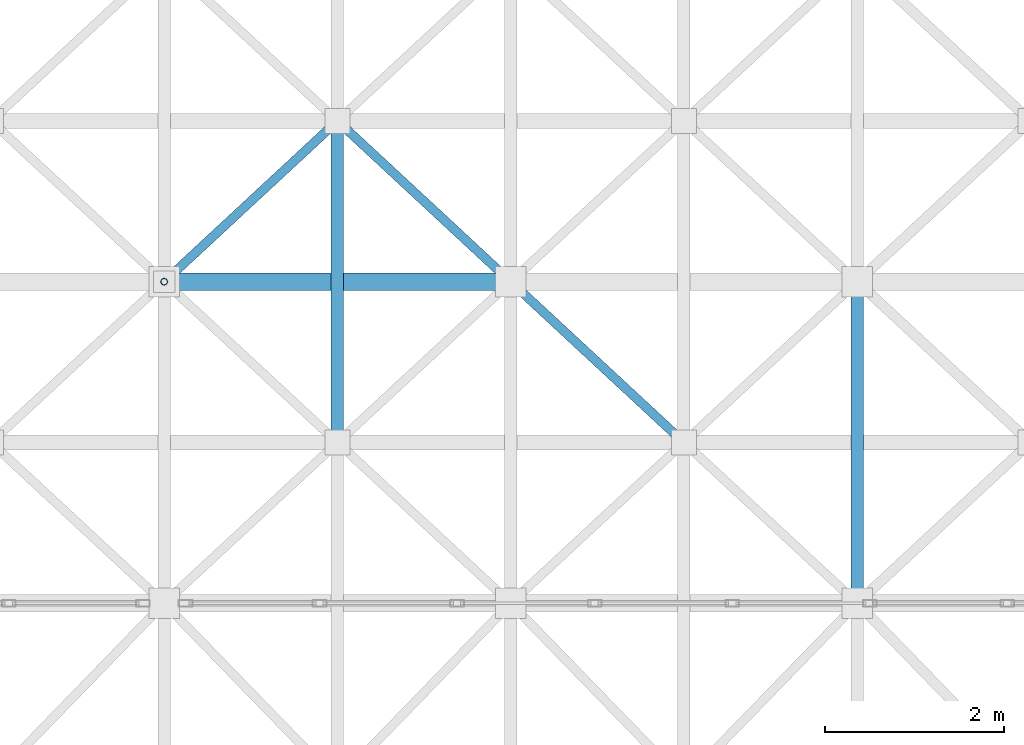
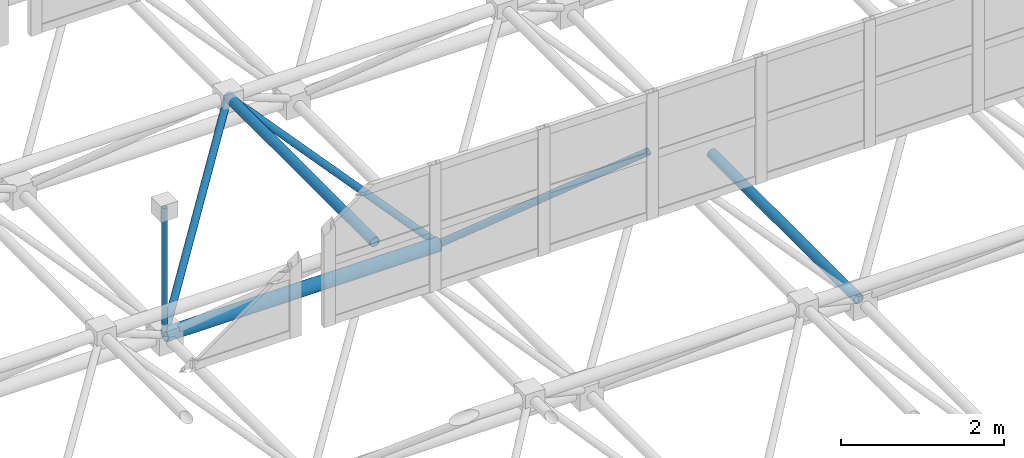
# One storey, part 95 of 195: 7 members.
"""IFC4 building model written with IfcOpenShell, lengths in metres."""

from ifc_helpers import new_model, si_unit, direction, frame, origin, origin_2d, place, context, subcontext, project, spatial, hollow_circle, extrude, material, material_profile, profile_set, type_object, element, save


model = new_model("IFC4")

# Units and contexts
model_context = context("Model", 3, precision=1e-05, world=origin(), true_north=direction((0.0, 1.0)))
body_context = subcontext(model_context, "Body", "Model", "MODEL_VIEW")
ifc_project = project(units=[si_unit("LENGTHUNIT", "METRE"), si_unit("AREAUNIT", "SQUARE_METRE"), si_unit("VOLUMEUNIT", "CUBIC_METRE"), si_unit("PLANEANGLEUNIT", "RADIAN"), si_unit("MASSUNIT", "GRAM", prefix="KILO")], contexts=[model_context])

# Site, building, storey
site_placement = place(None, origin())
site = spatial("IfcSite", under=ifc_project, at=site_placement, CompositionType="ELEMENT")
building_placement = place(site_placement, origin())
building = spatial("IfcBuilding", under=site, at=building_placement, Name="Kharva Crest Polytechnic", CompositionType="ELEMENT")
storey_placement = place(building_placement, frame((0.0, 0.0, 9.0)))
storey = spatial("IfcBuildingStorey", under=building, at=storey_placement, Name="L02", CompositionType="ELEMENT", Elevation=9.0)

# Members
ifc_material = material(Name="Steel S355", Category="steel")
ifc_material_profile_1 = material_profile(ifc_material, hollow_circle(Radius=0.05078125, WallThickness=0.0048828125, at=origin_2d()), Name="CHS 101.6X5.0")
ifc_profile_set_1 = profile_set([ifc_material_profile_1], Name="Steel S355")
member_type_1 = type_object("IfcMemberType", Name="MEM-CHS101", PredefinedType="BRACE", material=ifc_profile_set_1)
for number, where, z_axis, x_axis, name in (
    (1, (16.0, 82.39990234375, 0.60009765625), (0.606147481159, 0.562437122903, 0.562360839555), (-0.680182129432, 0.73304315753, 0.0), "Space Frame Web Diagonal 717"),
    (2, (19.8798828125, 82.39990234375, 0.60009765625), (-0.606147481159, 0.562437122903, 0.562360839555), (-0.680182129432, -0.73304315753, 0.0), "Space Frame Web Diagonal 718"),
    (3, (19.8798828125, 82.39990234375, 0.60009765625), (0.606221739613, -0.562358961172, 0.562358961172), (0.680086554043, 0.733131829216, 0.0), "Space Frame Web Diagonal 771"),
):
    element("IfcMember", number, at=place(storey_placement, frame(where, z_axis=z_axis, x_axis=x_axis)), inside=storey, type_object=member_type_1, Name=name, PredefinedType="BRACE", context=body_context, shape_type="SweptSolid", body=[
        extrude(hollow_circle(Radius=0.05078125, WallThickness=0.0048828125, at=origin_2d()), origin(), (0.0, 0.0, 1.0), 3.200439453125),
    ])
ifc_material_profile_2 = material_profile(ifc_material, hollow_circle(Radius=0.06982421875, WallThickness=0.00634765625, at=origin_2d()), Name="CHS 139.7X6.3")
ifc_profile_set_2 = profile_set([ifc_material_profile_2], Name="Steel S355")
member_type_2 = type_object("IfcMemberType", Name="MEM-CHS139", PredefinedType="CHORD", material=ifc_profile_set_2)
for number, where, z_axis, x_axis, name in (
    (4, (23.760009765625, 78.800048828125, 0.60009765625), (0.0, 1.0, 0.0), (-1.0, 0.0, 0.0), "Space Frame Bottom Chord Y 215"),
    (5, (17.93994140625, 80.60009765625, 2.39990234375), (0.0, 1.0, 0.0), (-1.0, 0.0, 0.0), "Space Frame Top Chord Y 407"),
):
    element("IfcMember", number, at=place(storey_placement, frame(where, z_axis=z_axis, x_axis=x_axis)), inside=storey, type_object=member_type_2, Name=name, PredefinedType="CHORD", context=body_context, shape_type="SweptSolid", body=[
        extrude(hollow_circle(Radius=0.06982421875, WallThickness=0.00634765625, at=origin_2d()), origin(), (0.0, 0.0, 1.0), 3.599853515625),
    ])
ifc_material_profile_3 = material_profile(ifc_material, hollow_circle(Radius=0.096923828125, WallThickness=0.008056640625, at=origin_2d()), Name="CHS 193.7X8.0")
ifc_profile_set_3 = profile_set([ifc_material_profile_3], Name="Steel S355")
member_type_3 = type_object("IfcMemberType", Name="MEM-CHS193", PredefinedType="CHORD", material=ifc_profile_set_3)
member_1_placement = place(storey_placement, frame((16.0, 82.39990234375, 0.60009765625), z_axis=(1.0, 0.0, 0.0), x_axis=(0.0, 1.0, 0.0)))
element("IfcMember", 6, at=member_1_placement, inside=storey, type_object=member_type_3, Name="Space Frame Bottom Chord X 93", PredefinedType="CHORD", context=body_context, shape_type="SweptSolid", body=[
    extrude(hollow_circle(Radius=0.096923828125, WallThickness=0.008056640625, at=origin_2d()), origin(), (0.0, 0.0, 1.0), 3.8798828125),
])
ifc_material_profile_4 = material_profile(ifc_material, hollow_circle(Radius=0.0380859375, WallThickness=0.00390625, at=origin_2d()), Name="CHS 76.1X4.0")
ifc_profile_set_4 = profile_set([ifc_material_profile_4], Name="Steel S355")
member_type_4 = type_object("IfcMemberType", Name="MEM-CHS76-ST", PredefinedType="STRUT", material=ifc_profile_set_4)
member_2_placement = place(storey_placement, frame((16.0, 82.39990234375, 0.60009765625), z_axis=(0.0, 0.0, 1.0), x_axis=(1.0, 0.0, 0.0)))
element("IfcMember", 7, at=member_2_placement, inside=storey, type_object=member_type_4, Name="Space Frame Ridge Strut 11", PredefinedType="STRUT", context=body_context, shape_type="SweptSolid", body=[
    extrude(hollow_circle(Radius=0.0380859375, WallThickness=0.00390625, at=origin_2d()), origin(), (0.0, 0.0, 1.0), 1.911865234375),
])

save(model, "model.ifc")
